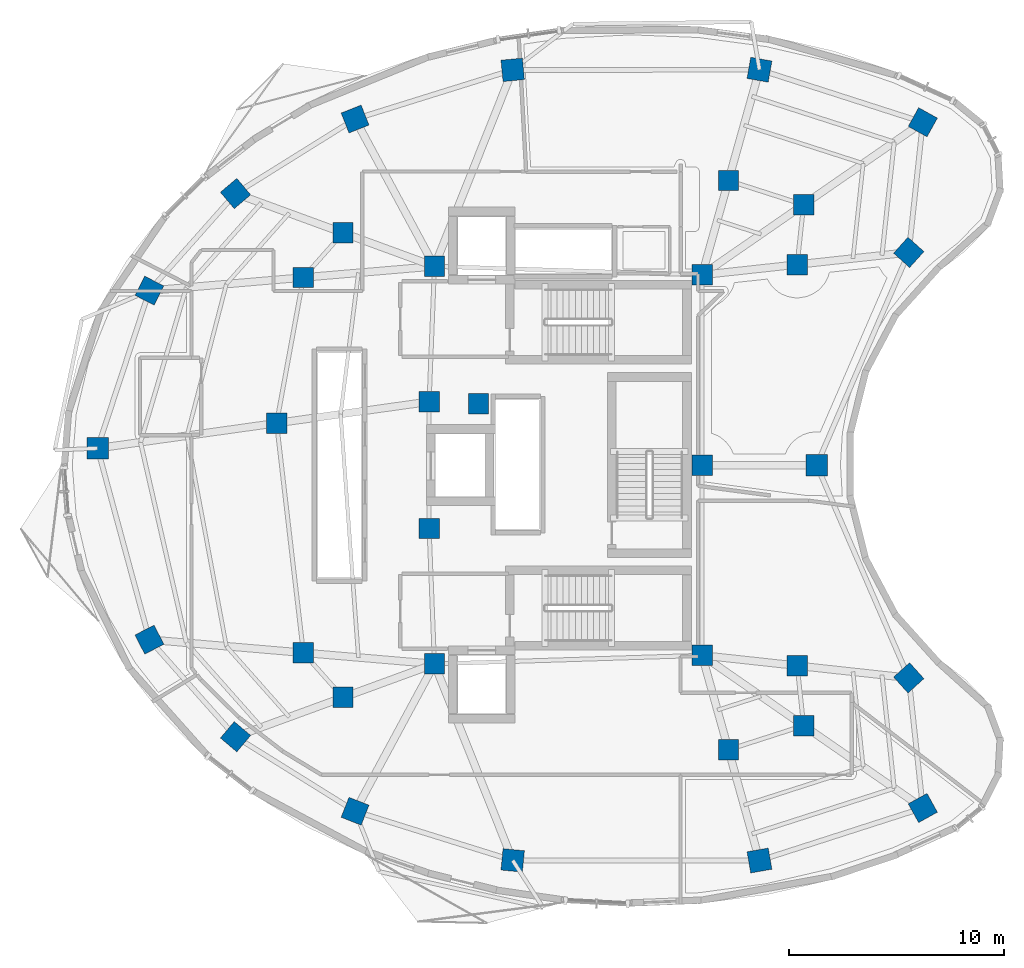
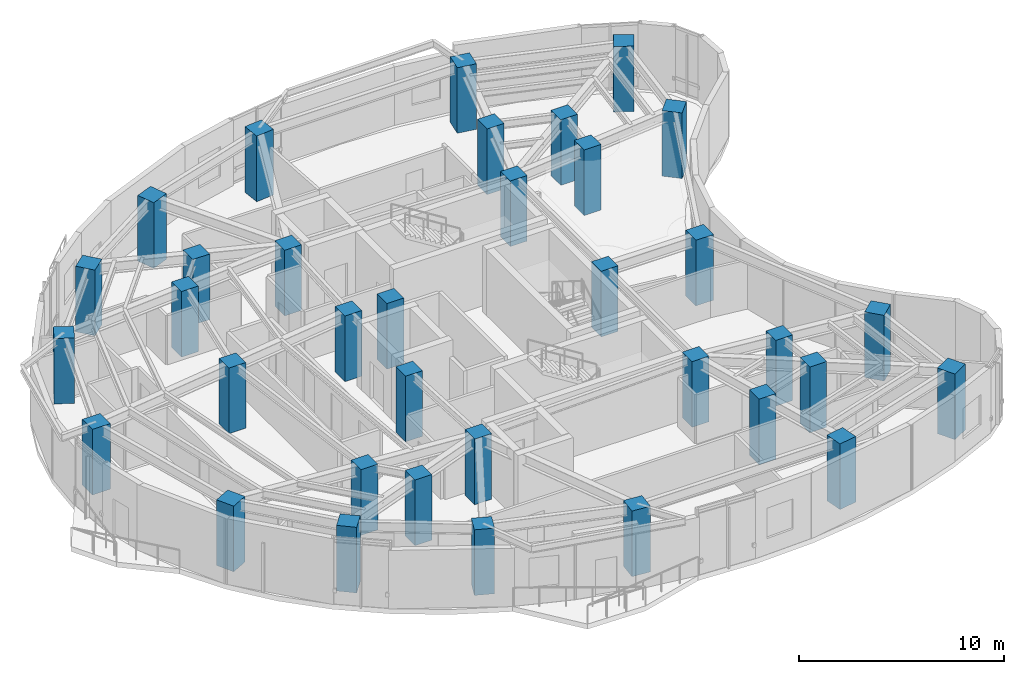
# One storey, part 1 of 13: 35 columns.
"""IFC4 building model written with IfcOpenShell, lengths in metres."""

from ifc_helpers import new_model, si_unit, direction, frame, origin, origin_2d, place, context, subcontext, project, spatial, rectangle, extrude, material, material_profile, profile_set, type_object, element, save


model = new_model("IFC4")

# Units and contexts
model_context = context("Model", 3, precision=1e-05, world=origin(), true_north=direction((0.0, 1.0)))
body_context = subcontext(model_context, "Body", "Model", "MODEL_VIEW")
ifc_project = project(units=[si_unit("LENGTHUNIT", "METRE"), si_unit("AREAUNIT", "SQUARE_METRE"), si_unit("VOLUMEUNIT", "CUBIC_METRE"), si_unit("PLANEANGLEUNIT", "RADIAN"), si_unit("MASSUNIT", "GRAM", prefix="KILO")], contexts=[model_context])

# Site, building, storey
site_placement = place(None, origin())
site = spatial("IfcSite", under=ifc_project, at=site_placement, CompositionType="ELEMENT")
building_placement = place(site_placement, origin())
building = spatial("IfcBuilding", under=site, at=building_placement, Name="Korentha Bioscience Tower", CompositionType="ELEMENT")
storey_placement = place(building_placement, frame((0.0, 0.0, 175.199951171875)))
storey = spatial("IfcBuildingStorey", under=building, at=storey_placement, Name="L40", CompositionType="ELEMENT", Elevation=175.199951171875)

# Columns
ifc_material = material(Name="Concrete C65", Category="concrete")
ifc_material_profile_1 = material_profile(ifc_material, rectangle(XDim=0.949951171875, YDim=0.949951171875, at=origin_2d()), Name="Concrete C65")
ifc_profile_set_1 = profile_set([ifc_material_profile_1], Name="Concrete C65 (COL-CP09)")
column_type_1 = type_object("IfcColumnType", Name="Core Pilaster Column RC 950x950", PredefinedType="PILASTER", material=ifc_profile_set_1)
for number, where, z_axis, x_axis, name in (
    (1, (37.550048828125, 35.85009765625, -0.00048828125), (0.0, 0.0, 1.0), (1.0, 0.0, 0.0), "L40 Core Pilaster CP-01"),
    (2, (25.10009765625, 36.25, -0.00048828125), (0.0, 0.0, 1.0), (1.0, 0.0, 0.0), "L40 Core Pilaster CP-02"),
    (3, (24.85009765625, 29.949951171875, -0.00048828125), (0.0, 0.0, 1.0), (1.0, 0.0, 0.0), "L40 Core Pilaster CP-03"),
    (4, (27.14990234375, 29.85009765625, -0.00048828125), (0.0, 0.0, 1.0), (1.0, 0.0, 0.0), "L40 Core Pilaster CP-04"),
    (5, (24.85009765625, 24.050048828125, -0.00048828125), (0.0, 0.0, 1.0), (1.0, 0.0, 0.0), "L40 Core Pilaster CP-05"),
    (6, (25.10009765625, 17.75, -0.00048828125), (0.0, 0.0, 1.0), (1.0, 0.0, 0.0), "L40 Core Pilaster CP-06"),
    (7, (37.550048828125, 18.14990234375, -0.00048828125), (0.0, 0.0, 1.0), (1.0, 0.0, 0.0), "L40 Core Pilaster CP-07"),
    (8, (37.550048828125, 27.0, -0.00048828125), (0.0, 0.0, 1.0), (1.0, 0.0, 0.0), "L40 Core Pilaster CP-08"),
):
    element("IfcColumn", number, at=place(storey_placement, frame(where, z_axis=z_axis, x_axis=x_axis)), inside=storey, type_object=column_type_1, Name=name, PredefinedType="PILASTER", context=body_context, shape_type="SweptSolid", body=[
        extrude(rectangle(XDim=0.949951171875, YDim=0.949951171875, at=origin_2d()), origin(), (0.0, 0.0, 1.0), 3.901123046875),
    ])
ifc_material_profile_2 = material_profile(ifc_material, rectangle(XDim=0.949951171875, YDim=0.949951171875, at=origin_2d()), Name="Concrete C65")
ifc_profile_set_2 = profile_set([ifc_material_profile_2], Name="Concrete C65 (COL-MR09)")
column_type_2 = type_object("IfcColumnType", Name="Mid-Ring Lab Column RC 950x950", PredefinedType="COLUMN", material=ifc_profile_set_2)
for number, where, z_axis, x_axis, name in (
    (9, (42.274658203125, 39.1171875, -0.00048828125), (0.0, 0.0, 1.0), (1.0, 0.0, 0.0), "L40 Mid-Ring Column 01"),
    (10, (38.77880859375, 40.2412109375, -0.00048828125), (0.0, 0.0, 1.0), (1.0, 0.0, 0.0), "L40 Mid-Ring Column 02"),
    (11, (20.84228515625, 37.807861328125, -0.00048828125), (0.0, 0.0, 1.0), (1.0, 0.0, 0.0), "L40 Mid-Ring Column 05"),
    (12, (18.99951171875, 35.72998046875, -0.00048828125), (0.0, 0.0, 1.0), (1.0, 0.0, 0.0), "L40 Mid-Ring Column 06"),
    (13, (17.75341796875, 28.95458984375, -0.00048828125), (0.0, 0.0, 1.0), (1.0, 0.0, 0.0), "L40 Mid-Ring Column 07"),
    (14, (18.99951171875, 18.27001953125, -0.00048828125), (0.0, 0.0, 1.0), (1.0, 0.0, 0.0), "L40 Mid-Ring Column 08"),
    (15, (20.84228515625, 16.192138671875, -0.00048828125), (0.0, 0.0, 1.0), (1.0, 0.0, 0.0), "L40 Mid-Ring Column 09"),
    (16, (38.77880859375, 13.7587890625, -0.00048828125), (0.0, 0.0, 1.0), (1.0, 0.0, 0.0), "L40 Mid-Ring Column 12"),
    (17, (42.274658203125, 14.8828125, -0.00048828125), (0.0, 0.0, 1.0), (1.0, 0.0, 0.0), "L40 Mid-Ring Column 13"),
    (18, (41.97412109375, 17.66796875, -0.00048828125), (0.0, 0.0, 1.0), (1.0, 0.0, 0.0), "L40 Mid-Ring Column 14"),
    (19, (41.97412109375, 36.33203125, -0.00048828125), (0.0, 0.0, 1.0), (1.0, 0.0, 0.0), "L40 Mid-Ring Column 16"),
):
    element("IfcColumn", number, at=place(storey_placement, frame(where, z_axis=z_axis, x_axis=x_axis)), inside=storey, type_object=column_type_2, Name=name, PredefinedType="COLUMN", context=body_context, shape_type="SweptSolid", body=[
        extrude(rectangle(XDim=0.949951171875, YDim=0.949951171875, at=origin_2d()), origin(), (0.0, 0.0, 1.0), 3.901123046875),
    ])
ifc_material_profile_3 = material_profile(ifc_material, rectangle(XDim=1.0, YDim=1.0, at=origin_2d()), Name="Concrete C65")
ifc_profile_set_3 = profile_set([ifc_material_profile_3], Name="Concrete C65 (COL-P10)")
column_type_3 = type_object("IfcColumnType", Name="Perimeter Column RC 1000x1000", PredefinedType="COLUMN", material=ifc_profile_set_3)
for number, where, z_axis, x_axis, name in (
    (20, (47.821044921875, 42.95263671875, -0.00048828125), (0.0, 0.0, 1.0), (-0.874535078577, 0.484962262797, 0.0), "L40 Perimeter Column 01"),
    (21, (40.22119140625, 45.39599609375, -0.00048828125), (0.0, 0.0, 1.0), (-0.984868307662, 0.173304404339, 0.0), "L40 Perimeter Column 02"),
    (22, (28.739501953125, 45.390380859375, -0.00048828125), (0.0, 0.0, 1.0), (0.995462868748, 0.095150811579, 0.0), "L40 Perimeter Column 03"),
    (23, (21.405517578125, 43.102783203125, -0.00048828125), (0.0, 0.0, 1.0), (0.930225540858, 0.366988341962, 0.0), "L40 Perimeter Column 04"),
    (24, (15.843994140625, 39.63671875, -0.00048828125), (0.0, 0.0, 1.0), (0.764246456939, 0.644924300253, 0.0), "L40 Perimeter Column 05"),
    (25, (11.837890625, 35.119384765625, -0.00048828125), (0.0, 0.0, 1.0), (0.453057191132, 0.891481453292, 0.0), "L40 Perimeter Column 06"),
    (26, (9.422607421875, 27.785888671875, -0.00048828125), (0.0, 0.0, 1.0), (0.0, 1.0, 0.0), "L40 Perimeter Column 07"),
    (27, (11.837890625, 18.880615234375, -0.00048828125), (0.0, 0.0, 1.0), (-0.453057191132, 0.891481453292, 0.0), "L40 Perimeter Column 08"),
    (28, (15.843994140625, 14.36328125, -0.00048828125), (0.0, 0.0, 1.0), (-0.764246456939, 0.644924300253, 0.0), "L40 Perimeter Column 09"),
    (29, (21.405517578125, 10.897216796875, -0.00048828125), (0.0, 0.0, 1.0), (-0.930225540858, 0.366988341962, 0.0), "L40 Perimeter Column 10"),
    (30, (28.739501953125, 8.609619140625, -0.00048828125), (0.0, 0.0, 1.0), (-0.995462868748, 0.095150811579, 0.0), "L40 Perimeter Column 11"),
    (31, (40.22119140625, 8.60400390625, -0.00048828125), (0.0, 0.0, 1.0), (0.984868307662, 0.173304404339, 0.0), "L40 Perimeter Column 12"),
    (32, (47.821044921875, 11.04736328125, -0.00048828125), (0.0, 0.0, 1.0), (0.874535078577, 0.484962262797, 0.0), "L40 Perimeter Column 13"),
    (33, (47.16748046875, 17.10205078125, -0.00048828125), (0.0, 0.0, 1.0), (-0.669130606359, 0.743144825477, 0.0), "L40 Perimeter Column 14"),
    (34, (42.8818359375, 27.0, -0.00048828125), (0.0, 0.0, 1.0), (0.0, 1.0, 0.0), "L40 Perimeter Column 15"),
    (35, (47.16748046875, 36.89794921875, -0.00048828125), (0.0, 0.0, 1.0), (0.669130606359, 0.743144825477, 0.0), "L40 Perimeter Column 16"),
):
    element("IfcColumn", number, at=place(storey_placement, frame(where, z_axis=z_axis, x_axis=x_axis)), inside=storey, type_object=column_type_3, Name=name, PredefinedType="COLUMN", context=body_context, shape_type="SweptSolid", body=[
        extrude(rectangle(XDim=1.0, YDim=1.0, at=origin_2d()), origin(), (0.0, 0.0, 1.0), 3.901123046875),
    ])

save(model, "model.ifc")
